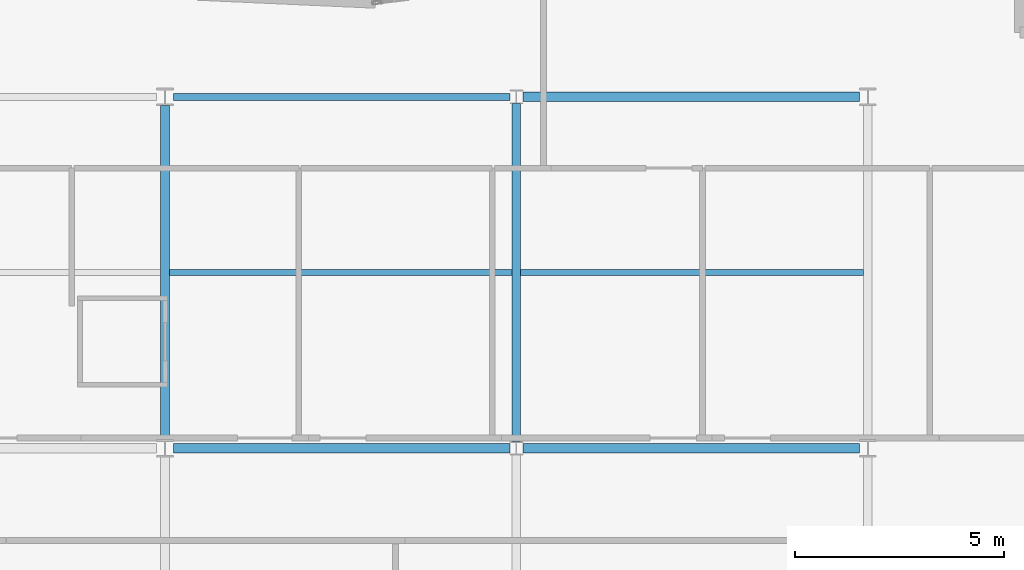
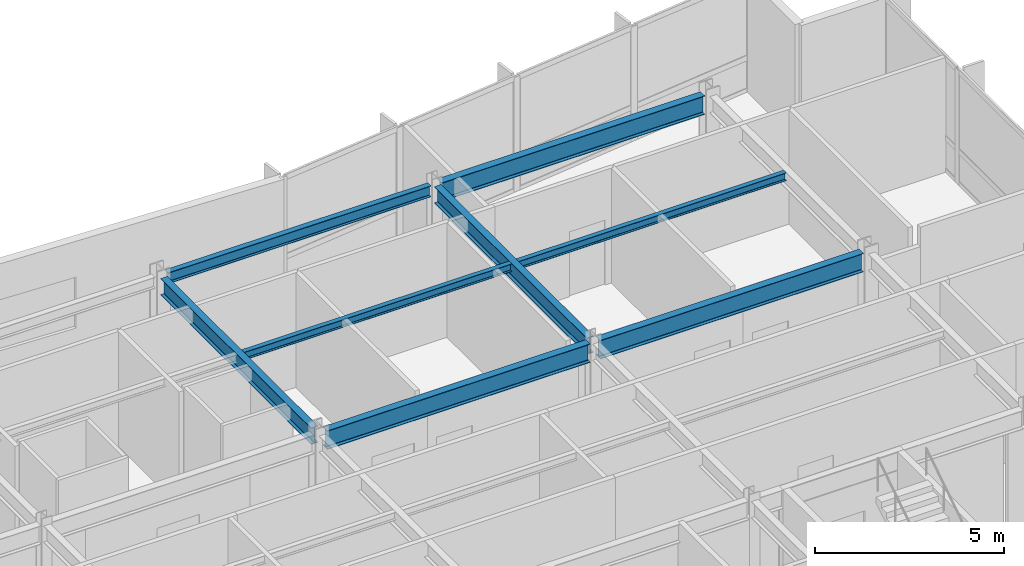
# One storey, part 6 of 18: 8 beams.
"""IFC4 building model written with IfcOpenShell, lengths in metres."""

import ifcopenshell
import ifcopenshell.guid

model = None  # the IFC model being written
_history = None  # IfcOwnerHistory: only IFC2X3 demands one
_inside = {}  # id of a spatial element -> (the spatial element, [elements in it])
_under = {}  # id of a project, library or spatial element -> (it, [spatial elements below it])
_declared = {}  # id of a project -> (the project, [libraries it declares])
_typed = {}  # id of a type object -> (the type object, [elements of that type])
_made_of = {}  # id of a material, layer set ... -> (it, [elements and type objects made of it])


def new_model(schema):
    """Start an empty IFC model of exactly this schema.

    Asked for "IFC4X3", IfcOpenShell would pick the latest addendum, in which some entities
    have other attributes; the version numbers below select the first issue.
    IFC2X3 requires an IfcOwnerHistory on every rooted entity: one is made here for all.
    """
    global model, _history
    if schema == "IFC4X3":
        model = ifcopenshell.file(schema_version=(4, 3, 0, 0))
    else:
        model = ifcopenshell.file(schema=schema)
    _inside.clear()
    _under.clear()
    _declared.clear()
    _typed.clear()
    _made_of.clear()
    _history = None
    if model.schema == "IFC2X3":
        org = make("IfcOrganization", Name="unknown")
        user = make(
            "IfcPersonAndOrganization",
            ThePerson=make("IfcPerson", FamilyName="unknown"),
            TheOrganization=org,
        )
        app = make(
            "IfcApplication",
            ApplicationDeveloper=org,
            Version="unknown",
            ApplicationFullName="unknown",
            ApplicationIdentifier="unknown",
        )
        _history = make(
            "IfcOwnerHistory",
            OwningUser=user,
            OwningApplication=app,
            ChangeAction="ADDED",
            CreationDate=0,
        )
    return model


def make(cls, **values):
    """One entity of the class cls with the attributes given. An attribute that is None is left unset."""
    return model.create_entity(
        cls, **{name: value for name, value in values.items() if value is not None}
    )


def rooted(cls, **values):
    """An entity with a GlobalId (a new one), such as an element, a storey or a relation."""
    return make(cls, GlobalId=ifcopenshell.guid.new(), OwnerHistory=_history, **values)


def si_unit(unit_type, name, prefix=None):
    """IfcSIUnit, for example si_unit("LENGTHUNIT", "METRE", prefix="MILLI")."""
    return make("IfcSIUnit", UnitType=unit_type, Prefix=prefix, Name=name)


def assignment(units):
    """IfcUnitAssignment: the units of a project."""
    return None if units is None else make("IfcUnitAssignment", Units=units)


def point(xyz):
    """IfcCartesianPoint."""
    return None if xyz is None else make("IfcCartesianPoint", Coordinates=xyz)


def direction(xyz):
    """IfcDirection."""
    return None if xyz is None else make("IfcDirection", DirectionRatios=xyz)


def frame(location, z_axis=None, x_axis=None):
    """IfcAxis2Placement3D, a coordinate frame: its origin and axes. An axis left out is left unset."""
    return make(
        "IfcAxis2Placement3D",
        Location=point(location),
        Axis=direction(z_axis),
        RefDirection=direction(x_axis),
    )


def frame_2d(location, x_axis=None):
    """IfcAxis2Placement2D, a coordinate frame in the plane: its origin and x axis."""
    return make(
        "IfcAxis2Placement2D", Location=point(location), RefDirection=direction(x_axis)
    )


def origin():
    """The frame at (0, 0, 0) with its axes left unset."""
    return frame((0.0, 0.0, 0.0))


def origin_2d():
    """The frame at (0, 0) in the plane with its x axis left unset."""
    return frame_2d((0.0, 0.0))


def place(relative_to, where):
    """IfcLocalPlacement: puts the frame where relative to a parent placement (None: the world)."""
    return make(
        "IfcLocalPlacement", PlacementRelTo=relative_to, RelativePlacement=where
    )


def context(
    kind, dimensions, precision=None, world=None, true_north=None, identifier=None
):
    """IfcGeometricRepresentationContext, for example the 3D "Model" context."""
    return make(
        "IfcGeometricRepresentationContext",
        ContextIdentifier=identifier,
        ContextType=kind,
        CoordinateSpaceDimension=dimensions,
        Precision=precision,
        WorldCoordinateSystem=world,
        TrueNorth=true_north,
    )


def subcontext(parent, identifier, kind, view, scale=None):
    """IfcGeometricRepresentationSubContext, for example "Body" below "Model"."""
    return make(
        "IfcGeometricRepresentationSubContext",
        ContextIdentifier=identifier,
        ContextType=kind,
        ParentContext=parent,
        TargetScale=scale,
        TargetView=view,
    )


def project(units=None, contexts=None):
    """IfcProject with its units and contexts."""
    return rooted(
        "IfcProject",
        Name="project",
        RepresentationContexts=contexts,
        UnitsInContext=assignment(units),
    )


def spatial(cls, under=None, at=None, **own):
    """A site, building, storey or space (cls), placed at a placement, below another one or the project."""
    s = rooted(cls, ObjectPlacement=at, **own)
    if under is not None:
        _under.setdefault(under.id(), (under, []))[1].append(s)
    return s


def profile(cls, at=None, kind="AREA", **sizes):
    """A parametric profile (cls). Its sizes go by their IFC names, for example OverallWidth=200.0."""
    return make(cls, ProfileType=kind, Position=at, **sizes)


def i_section(**sizes):
    """IfcIShapeProfileDef."""
    return profile("IfcIShapeProfileDef", **sizes)


def extrude(swept, where, along, depth):
    """IfcExtrudedAreaSolid: the profile swept, set in the frame where, extruded along a direction by depth."""
    return make(
        "IfcExtrudedAreaSolid",
        SweptArea=swept,
        Position=where,
        ExtrudedDirection=direction(along),
        Depth=depth,
    )


def shape(context_of_items, identifier, shape_type, items):
    """IfcShapeRepresentation: the items that make up one representation, for example the "Body"."""
    return make(
        "IfcShapeRepresentation",
        ContextOfItems=context_of_items,
        RepresentationIdentifier=identifier,
        RepresentationType=shape_type,
        Items=items,
    )


def material(Name=None, Category=None):
    """IfcMaterial."""
    return make("IfcMaterial", Name=Name, Category=Category)


def material_profile(
    of_material, cross_section, Name=None, Category=None, Priority=None
):
    """IfcMaterialProfile: a cross section and its material."""
    return make(
        "IfcMaterialProfile",
        Name=Name,
        Material=of_material,
        Profile=cross_section,
        Priority=Priority,
        Category=Category,
    )


def profile_set(profiles, Name=None, composite=None):
    """IfcMaterialProfileSet."""
    return make(
        "IfcMaterialProfileSet",
        Name=Name,
        MaterialProfiles=profiles,
        CompositeProfile=composite,
    )


def made_of(thing, what):
    """Note that an element or type object is made of a material, layer set ...; save() writes the relation."""
    if what is not None:
        _made_of.setdefault(what.id(), (what, []))[1].append(thing)
    return thing


def type_object(cls, material=None, **own):
    """A type object (cls), such as IfcWallType, which elements share."""
    return made_of(rooted(cls, **own), material)


def element(
    cls,
    number,
    at=None,
    inside=None,
    cuts=None,
    type_object=None,
    material=None,
    context=None,
    identifier="Body",
    shape_type=None,
    held_by="IfcProductDefinitionShape",
    body=None,
    shapes=None,
    **own,
):
    """One element of the class cls, such as IfcWall. Its Tag is "e" and its number.

    at: its placement. inside: the storey or other place that contains it. cuts: it is an
    opening in that element (IfcRelVoidsElement). A single representation is given by context,
    identifier, shape_type and body (its items); several are given by shapes. held_by: the class
    of the entity that holds the representations. save() writes the other relations.
    """
    e = rooted(cls, Tag="e%d" % number, ObjectPlacement=at, **own)
    if body is not None:
        shapes = [shape(context, identifier, shape_type, body)]
    if shapes is not None:
        e.Representation = make(held_by, Representations=shapes)
    if inside is not None:
        _inside.setdefault(inside.id(), (inside, []))[1].append(e)
    if cuts is not None:
        rooted(
            "IfcRelVoidsElement", RelatingBuildingElement=cuts, RelatedOpeningElement=e
        )
    if type_object is not None:
        _typed.setdefault(type_object.id(), (type_object, []))[1].append(e)
    return made_of(e, material)


def aggregate(whole, parts):
    """IfcRelAggregates: a whole, such as a stair, and the parts it consists of."""
    return rooted("IfcRelAggregates", RelatingObject=whole, RelatedObjects=parts)


def save(model, path):
    """Write the relations noted so far, then the file.

    IfcRelAggregates (storeys below a building ...), IfcRelContainedInSpatialStructure (elements
    in a storey), IfcRelDefinesByType, IfcRelAssociatesMaterial and IfcRelDeclares: one each for
    every whole, place, type object, material and project.
    """
    for whole, parts in _under.values():
        aggregate(whole, parts)
    for where, things in _inside.values():
        rooted(
            "IfcRelContainedInSpatialStructure",
            RelatedElements=things,
            RelatingStructure=where,
        )
    for kind, things in _typed.values():
        rooted("IfcRelDefinesByType", RelatedObjects=things, RelatingType=kind)
    for what, things in _made_of.values():
        rooted("IfcRelAssociatesMaterial", RelatedObjects=things, RelatingMaterial=what)
    for by, libraries in _declared.values():
        rooted("IfcRelDeclares", RelatingContext=by, RelatedDefinitions=libraries)
    model.write(path)


model = new_model("IFC4")

# Units and contexts
model_context = context("Model", 3, precision=1e-05, world=origin(), true_north=direction((0.0, 1.0)))
body_context = subcontext(model_context, "Body", "Model", "MODEL_VIEW")
ifc_project = project(units=[si_unit("LENGTHUNIT", "METRE"), si_unit("AREAUNIT", "SQUARE_METRE"), si_unit("VOLUMEUNIT", "CUBIC_METRE"), si_unit("PLANEANGLEUNIT", "RADIAN"), si_unit("MASSUNIT", "GRAM", prefix="KILO")], contexts=[model_context])

# Site, building, storey
site_placement = place(None, origin())
site = spatial("IfcSite", under=ifc_project, at=site_placement, CompositionType="ELEMENT")
building_placement = place(site_placement, origin())
building = spatial("IfcBuilding", under=site, at=building_placement, Name="Varnakote Quay Hospital", CompositionType="ELEMENT")
storey_placement = place(building_placement, frame((0.0, 0.0, 119.14990234375)))
storey = spatial("IfcBuildingStorey", under=building, at=storey_placement, Name="L29", CompositionType="ELEMENT", Elevation=119.14990234375)

# Beams
ifc_material_1 = material(Name="Structural steel AS/NZS 3679.1 Grade 350 L0 (fy 340 MPa)", Category="steel")
ifc_material_profile_1 = material_profile(ifc_material_1, i_section(OverallWidth=0.208984375, OverallDepth=0.532958984375, WebThickness=0.01025390625, FlangeThickness=0.015625, FilletRadius=0.013916015625, at=origin_2d()), Name="530UB92.4")
ifc_profile_set_1 = profile_set([ifc_material_profile_1], Name="Structural steel AS/NZS 3679.1 Grade 350 L0 (fy 340 MPa)")
beam_type_1 = type_object("IfcBeamType", Name="BM-STL-530UB92-4", PredefinedType="BEAM", material=ifc_profile_set_1)
beam_1_placement = place(storey_placement, frame((33.60009765625, 20.610107421875, 3.443603515625), z_axis=(0.0, 1.0, 0.0), x_axis=(-1.0, 0.0, 0.0)))
element("IfcBeam", 1, at=beam_1_placement, inside=storey, type_object=beam_type_1, Name="L29 Primary Tie Beam", PredefinedType="BEAM", context=body_context, shape_type="SweptSolid", body=[
    extrude(i_section(OverallWidth=0.208984375, OverallDepth=0.532958984375, WebThickness=0.01025390625, FlangeThickness=0.015625, FilletRadius=0.013916015625, at=origin_2d()), origin(), (0.0, 0.0, 1.0), 7.97998046875),
])
beam_2_placement = place(storey_placement, frame((42.0, 20.560546875, 3.443603515625), z_axis=(0.0, 1.0, 0.0), x_axis=(-1.0, 0.0, 0.0)))
element("IfcBeam", 2, at=beam_2_placement, inside=storey, type_object=beam_type_1, Name="L29 Primary Tie Beam", PredefinedType="BEAM", context=body_context, shape_type="SweptSolid", body=[
    extrude(i_section(OverallWidth=0.208984375, OverallDepth=0.532958984375, WebThickness=0.01025390625, FlangeThickness=0.015625, FilletRadius=0.013916015625, at=origin_2d()), origin(), (0.0, 0.0, 1.0), 8.078857421875),
])
ifc_material_2 = material(Name="Structural steel AS/NZS 3679.1 Grade 350 L0 (fy 340 MPa)", Category="steel")
ifc_material_profile_2 = material_profile(ifc_material_2, i_section(OverallWidth=0.22802734375, OverallDepth=0.60205078125, WebThickness=0.010498046875, FlangeThickness=0.014892578125, FilletRadius=0.013916015625, at=origin_2d()), Name="610UB101")
ifc_profile_set_2 = profile_set([ifc_material_profile_2], Name="Structural steel AS/NZS 3679.1 Grade 350 L0 (fy 340 MPa)")
beam_type_2 = type_object("IfcBeamType", Name="BM-STL-610UB101", PredefinedType="BEAM", material=ifc_profile_set_2)
for number, where, z_axis, x_axis, name in (
    (3, (33.800048828125, 20.39990234375, 3.4091796875), (1.0, 0.0, 0.0), (0.0, 1.0, 0.0), "L29 Primary Floor Beam"),
    (4, (42.154541015625, 20.39990234375, 3.4091796875), (1.0, 0.0, 0.0), (0.0, 1.0, 0.0), "L29 Primary Floor Beam"),
    (5, (42.154541015625, 28.800048828125, 3.4091796875), (1.0, 0.0, 0.0), (0.0, 1.0, 0.0), "L29 Primary Floor Beam"),
):
    element("IfcBeam", number, at=place(storey_placement, frame(where, z_axis=z_axis, x_axis=x_axis)), inside=storey, type_object=beam_type_2, Name=name, PredefinedType="BEAM", context=body_context, shape_type="SweptSolid", body=[
        extrude(i_section(OverallWidth=0.22802734375, OverallDepth=0.60205078125, WebThickness=0.010498046875, FlangeThickness=0.014892578125, FilletRadius=0.013916015625, at=origin_2d()), origin(), (0.0, 0.0, 1.0), 8.04541015625),
    ])
ifc_material_3 = material(Name="Structural steel AS/NZS 3679.1 Grade 350 L0 (fy 340 MPa)", Category="steel")
ifc_material_profile_3 = material_profile(ifc_material_3, i_section(OverallWidth=0.14599609375, OverallDepth=0.256103515625, WebThickness=0.00634765625, FlangeThickness=0.010986328125, FilletRadius=0.0087890625, at=origin_2d()), Name="250UB37.3")
ifc_profile_set_3 = profile_set([ifc_material_profile_3], Name="Structural steel AS/NZS 3679.1 Grade 350 L0 (fy 340 MPa)")
beam_type_3 = type_object("IfcBeamType", Name="JST-STL-250UB37-3", PredefinedType="JOIST", material=ifc_profile_set_3)
for number, where, z_axis, x_axis, name in (
    (6, (33.70458984375, 24.60009765625, 3.58203125), (1.0, 0.0, 0.0), (0.0, 1.0, 0.0), "L29 Composite Floor Joist"),
    (7, (42.1044921875, 24.60009765625, 3.58203125), (1.0, 0.0, 0.0), (0.0, 1.0, 0.0), "L29 Composite Floor Joist"),
):
    element("IfcBeam", number, at=place(storey_placement, frame(where, z_axis=z_axis, x_axis=x_axis)), inside=storey, type_object=beam_type_3, Name=name, PredefinedType="JOIST", context=body_context, shape_type="SweptSolid", body=[
        extrude(i_section(OverallWidth=0.14599609375, OverallDepth=0.256103515625, WebThickness=0.00634765625, FlangeThickness=0.010986328125, FilletRadius=0.0087890625, at=origin_2d()), origin(), (0.0, 0.0, 1.0), 8.19091796875),
    ])
ifc_material_4 = material(Name="Structural steel AS/NZS 3679.1 Grade 350 L0 (fy 340 MPa)", Category="steel")
ifc_material_profile_4 = material_profile(ifc_material_4, i_section(OverallWidth=0.172119140625, OverallDepth=0.35888671875, WebThickness=0.008056640625, FlangeThickness=0.012939453125, FilletRadius=0.011474609375, at=origin_2d()), Name="360UB56.7")
ifc_profile_set_4 = profile_set([ifc_material_profile_4], Name="Structural steel AS/NZS 3679.1 Grade 350 L0 (fy 340 MPa)")
beam_type_4 = type_object("IfcBeamType", Name="SPN-STL-360UB56-7", PredefinedType="SPANDREL", material=ifc_profile_set_4)
beam_3_placement = place(storey_placement, frame((33.800048828125, 28.800048828125, 3.530517578125), z_axis=(1.0, 0.0, 0.0), x_axis=(0.0, 1.0, 0.0)))
element("IfcBeam", 8, at=beam_3_placement, inside=storey, type_object=beam_type_4, Name="L29 Perimeter Spandrel Beam", PredefinedType="SPANDREL", context=body_context, shape_type="SweptSolid", body=[
    extrude(i_section(OverallWidth=0.172119140625, OverallDepth=0.35888671875, WebThickness=0.008056640625, FlangeThickness=0.012939453125, FilletRadius=0.011474609375, at=origin_2d()), origin(), (0.0, 0.0, 1.0), 8.04541015625),
])

save(model, "model.ifc")
